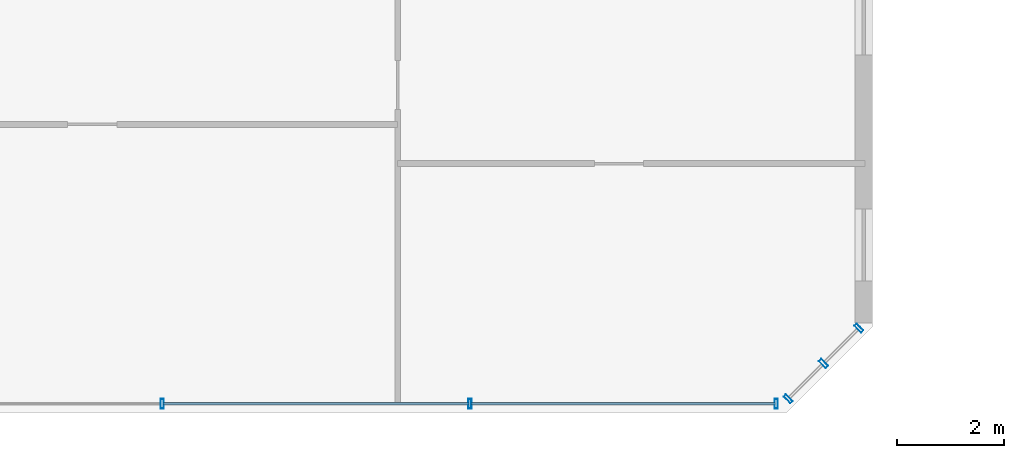
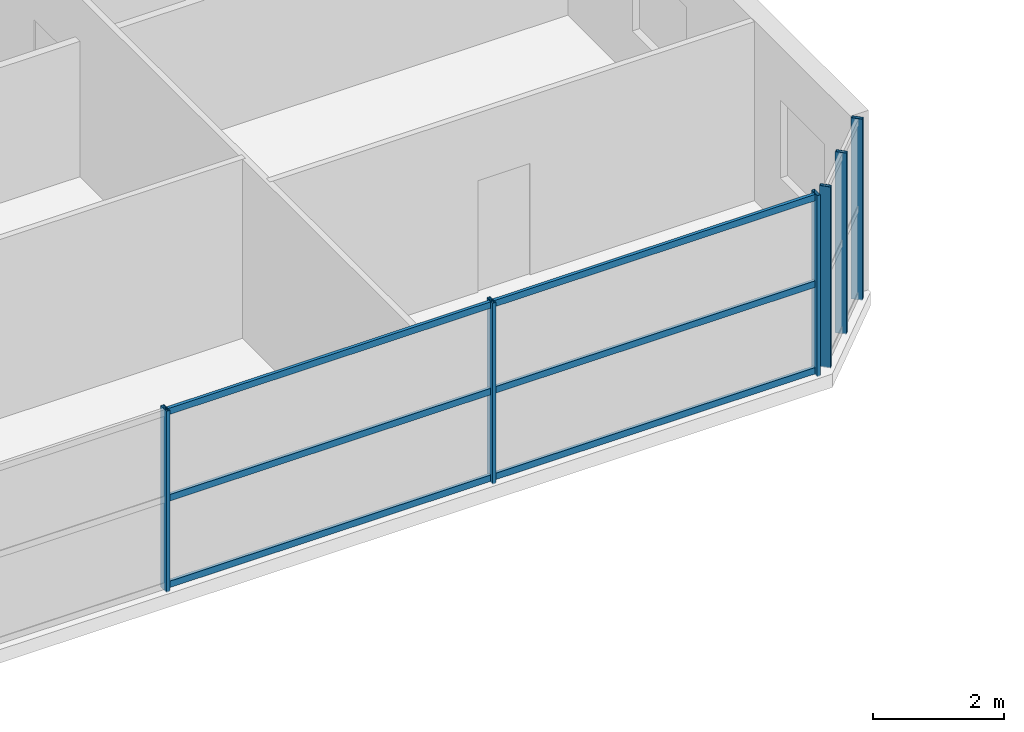
# One storey, part 6 of 20: 12 members, 2 elements without a shape of their own.
"""IFC4 building model written with IfcOpenShell, lengths in metres."""

from ifc_helpers import new_model, si_unit, direction, frame, origin, origin_2d, place, context, subcontext, project, spatial, hollow_rectangle, extrude, source, transform, mapped, material, material_profile, profile_set, type_object, element, aggregate, save


model = new_model("IFC4")

# Units and contexts
model_context = context("Model", 3, precision=1e-05, world=origin(), true_north=direction((0.0, 1.0)))
body_context = subcontext(model_context, "Body", "Model", "MODEL_VIEW")
ifc_project = project(units=[si_unit("LENGTHUNIT", "METRE"), si_unit("AREAUNIT", "SQUARE_METRE"), si_unit("VOLUMEUNIT", "CUBIC_METRE"), si_unit("PLANEANGLEUNIT", "RADIAN"), si_unit("MASSUNIT", "GRAM", prefix="KILO")], contexts=[model_context])

# Site, building, storey
site_placement = place(None, origin())
site = spatial("IfcSite", under=ifc_project, at=site_placement, CompositionType="ELEMENT")
building_placement = place(site_placement, origin())
building = spatial("IfcBuilding", under=site, at=building_placement, Name="Tlacorven Tower", CompositionType="ELEMENT")
storey_placement = place(building_placement, frame((0.0, 0.0, 211.199951171875)))
storey = spatial("IfcBuildingStorey", under=building, at=storey_placement, Name="L53", CompositionType="ELEMENT", Elevation=211.199951171875)

# Curtain wall, members
ifc_material_1 = material(Name="Dark solar low-E double glazing in aluminium frame", Category="aluminium")
curtain_wall_type = type_object("IfcCurtainWallType", Name="CW-TWR-HIGH", PredefinedType="USERDEFINED", material=ifc_material_1)
curtain_wall_1_placement = place(storey_placement, origin())
curtain_wall_1 = element("IfcCurtainWall", 1, at=curtain_wall_1_placement, inside=storey, type_object=curtain_wall_type, Name="L53 CW-TWR-HIGH Curtain Wall 240", ObjectType="UNITISED CURTAIN WALL", PredefinedType="USERDEFINED")
ifc_material_2 = material(Name="Aluminium 6063-T6 anodised", Category="aluminium")
ifc_material_profile_1 = material_profile(ifc_material_2, hollow_rectangle(XDim=0.06005859375, YDim=0.179931640625, WallThickness=0.00390625, at=origin_2d()), Name="ALU MULLION 60X180")
ifc_profile_set_1 = profile_set([ifc_material_profile_1], Name="Aluminium 6063-T6 anodised")
member_type_1 = type_object("IfcMemberType", Name="CWM-03", PredefinedType="MULLION", material=ifc_profile_set_1)
shared_shape_1 = source(origin(), body_context, "Body", "SweptSolid", [
    extrude(hollow_rectangle(XDim=0.06005859375, YDim=0.179931640625, WallThickness=0.00390625, at=origin_2d()), origin(), (0.0, 0.0, 1.0), 3.380126953125),
])
member_1_placement = place(storey_placement, frame((52.148193359375, 3.374267578125, -0.02001953125), z_axis=(0.0, 0.0, 1.0), x_axis=(-0.707106781187, -0.707106781187, 0.0)))
member_1 = element("IfcMember", 2, at=member_1_placement, type_object=member_type_1, Name="CW-L53-240 Mullion 1", PredefinedType="MULLION", context=body_context, shape_type="MappedRepresentation", body=[
    mapped(shared_shape_1, transform((0.0, 0.0, 0.0), scale=1.0)),
])
member_2_placement = place(storey_placement, frame((51.48681640625, 2.713134765625, -0.02001953125), z_axis=(0.0, 0.0, 1.0), x_axis=(-0.707106781187, -0.707106781187, 0.0)))
member_2 = element("IfcMember", 3, at=member_2_placement, type_object=member_type_1, Name="CW-L53-240 Mullion 2", PredefinedType="MULLION", context=body_context, shape_type="MappedRepresentation", body=[
    mapped(shared_shape_1, transform((0.0, 0.0, 0.0), scale=1.0)),
])
member_3_placement = place(storey_placement, frame((50.82568359375, 2.052001953125, -0.02001953125), z_axis=(0.0, 0.0, 1.0), x_axis=(-0.707106781187, -0.707106781187, 0.0)))
member_3 = element("IfcMember", 4, at=member_3_placement, type_object=member_type_1, Name="CW-L53-240 Mullion 3", PredefinedType="MULLION", context=body_context, shape_type="MappedRepresentation", body=[
    mapped(shared_shape_1, transform((0.0, 0.0, 0.0), scale=1.0)),
])
aggregate(curtain_wall_1, [member_1, member_2, member_3])

curtain_wall_2_placement = place(storey_placement, origin())
curtain_wall_2 = element("IfcCurtainWall", 5, at=curtain_wall_2_placement, inside=storey, type_object=curtain_wall_type, Name="L53 CW-TWR-HIGH Curtain Wall 241", ObjectType="UNITISED CURTAIN WALL", PredefinedType="USERDEFINED")
member_4_placement = place(storey_placement, frame((50.603759765625, 1.9599609375, -0.02001953125), z_axis=(0.0, 0.0, 1.0), x_axis=(-1.0, 0.0, 0.0)))
member_4 = element("IfcMember", 6, at=member_4_placement, type_object=member_type_1, Name="CW-L53-241 Mullion 1", PredefinedType="MULLION", context=body_context, shape_type="MappedRepresentation", body=[
    mapped(shared_shape_1, transform((0.0, 0.0, 0.0), scale=1.0)),
])
member_5_placement = place(storey_placement, frame((44.8779296875, 1.9599609375, -0.02001953125), z_axis=(0.0, 0.0, 1.0), x_axis=(-1.0, 0.0, 0.0)))
member_5 = element("IfcMember", 7, at=member_5_placement, type_object=member_type_1, Name="CW-L53-241 Mullion 2", PredefinedType="MULLION", context=body_context, shape_type="MappedRepresentation", body=[
    mapped(shared_shape_1, transform((0.0, 0.0, 0.0), scale=1.0)),
])
member_6_placement = place(storey_placement, frame((39.1220703125, 1.9599609375, -0.02001953125), z_axis=(0.0, 0.0, 1.0), x_axis=(-1.0, 0.0, 0.0)))
member_6 = element("IfcMember", 8, at=member_6_placement, type_object=member_type_1, Name="CW-L53-241 Mullion 3", PredefinedType="MULLION", context=body_context, shape_type="MappedRepresentation", body=[
    mapped(shared_shape_1, transform((0.0, 0.0, 0.0), scale=1.0)),
])
ifc_material_profile_2 = material_profile(ifc_material_2, hollow_rectangle(XDim=0.054931640625, YDim=0.1201171875, WallThickness=0.00341796875, at=origin_2d()), Name="ALU TRANSOM 55X120")
ifc_profile_set_2 = profile_set([ifc_material_profile_2], Name="Aluminium 6063-T6 anodised")
member_type_2 = type_object("IfcMemberType", Name="CWT-03", PredefinedType="USERDEFINED", material=ifc_profile_set_2)
shared_shape_2 = source(origin(), body_context, "Body", "SweptSolid", [
    extrude(hollow_rectangle(XDim=0.054931640625, YDim=0.1201171875, WallThickness=0.00341796875, at=origin_2d()), origin(), (0.0, 0.0, 1.0), 5.689697265625),
])
member_7_placement = place(storey_placement, frame((50.585693359375, 1.9599609375, 0.06005859375), z_axis=(-1.0, 0.0, 0.0), x_axis=(0.0, -1.0, 0.0)))
member_7 = element("IfcMember", 9, at=member_7_placement, type_object=member_type_2, Name="CW-L53-241 Transom 1", ObjectType="TRANSOM", PredefinedType="USERDEFINED", context=body_context, shape_type="MappedRepresentation", body=[
    mapped(shared_shape_2, transform((0.0, 0.0, 0.0), scale=1.0)),
])
member_8_placement = place(storey_placement, frame((50.585693359375, 1.9599609375, 1.675048828125), z_axis=(-1.0, 0.0, 0.0), x_axis=(0.0, -1.0, 0.0)))
member_8 = element("IfcMember", 10, at=member_8_placement, type_object=member_type_2, Name="CW-L53-241 Transom 2", ObjectType="TRANSOM", PredefinedType="USERDEFINED", context=body_context, shape_type="MappedRepresentation", body=[
    mapped(shared_shape_2, transform((0.0, 0.0, 0.0), scale=1.0)),
])
member_9_placement = place(storey_placement, frame((50.585693359375, 1.9599609375, 3.2900390625), z_axis=(-1.0, 0.0, 0.0), x_axis=(0.0, -1.0, 0.0)))
member_9 = element("IfcMember", 11, at=member_9_placement, type_object=member_type_2, Name="CW-L53-241 Transom 3", ObjectType="TRANSOM", PredefinedType="USERDEFINED", context=body_context, shape_type="MappedRepresentation", body=[
    mapped(shared_shape_2, transform((0.0, 0.0, 0.0), scale=1.0)),
])
shared_shape_3 = source(origin(), body_context, "Body", "SweptSolid", [
    extrude(hollow_rectangle(XDim=0.054931640625, YDim=0.1201171875, WallThickness=0.00341796875, at=origin_2d()), origin(), (0.0, 0.0, 1.0), 5.7197265625),
])
member_10_placement = place(storey_placement, frame((44.85986328125, 1.9599609375, 0.06005859375), z_axis=(-1.0, 0.0, 0.0), x_axis=(0.0, -1.0, 0.0)))
member_10 = element("IfcMember", 12, at=member_10_placement, type_object=member_type_2, Name="CW-L53-241 Transom 4", ObjectType="TRANSOM", PredefinedType="USERDEFINED", context=body_context, shape_type="MappedRepresentation", body=[
    mapped(shared_shape_3, transform((0.0, 0.0, 0.0), scale=1.0)),
])
member_11_placement = place(storey_placement, frame((44.85986328125, 1.9599609375, 1.675048828125), z_axis=(-1.0, 0.0, 0.0), x_axis=(0.0, -1.0, 0.0)))
member_11 = element("IfcMember", 13, at=member_11_placement, type_object=member_type_2, Name="CW-L53-241 Transom 5", ObjectType="TRANSOM", PredefinedType="USERDEFINED", context=body_context, shape_type="MappedRepresentation", body=[
    mapped(shared_shape_3, transform((0.0, 0.0, 0.0), scale=1.0)),
])
member_12_placement = place(storey_placement, frame((44.85986328125, 1.9599609375, 3.2900390625), z_axis=(-1.0, 0.0, 0.0), x_axis=(0.0, -1.0, 0.0)))
member_12 = element("IfcMember", 14, at=member_12_placement, type_object=member_type_2, Name="CW-L53-241 Transom 6", ObjectType="TRANSOM", PredefinedType="USERDEFINED", context=body_context, shape_type="MappedRepresentation", body=[
    mapped(shared_shape_3, transform((0.0, 0.0, 0.0), scale=1.0)),
])
aggregate(curtain_wall_2, [member_4, member_5, member_6, member_7, member_8, member_9, member_10, member_11, member_12])

save(model, "model.ifc")
